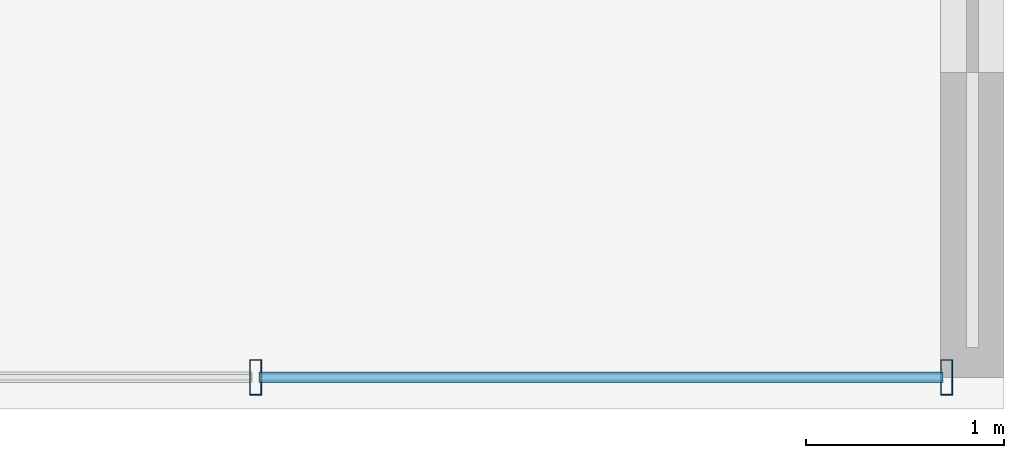
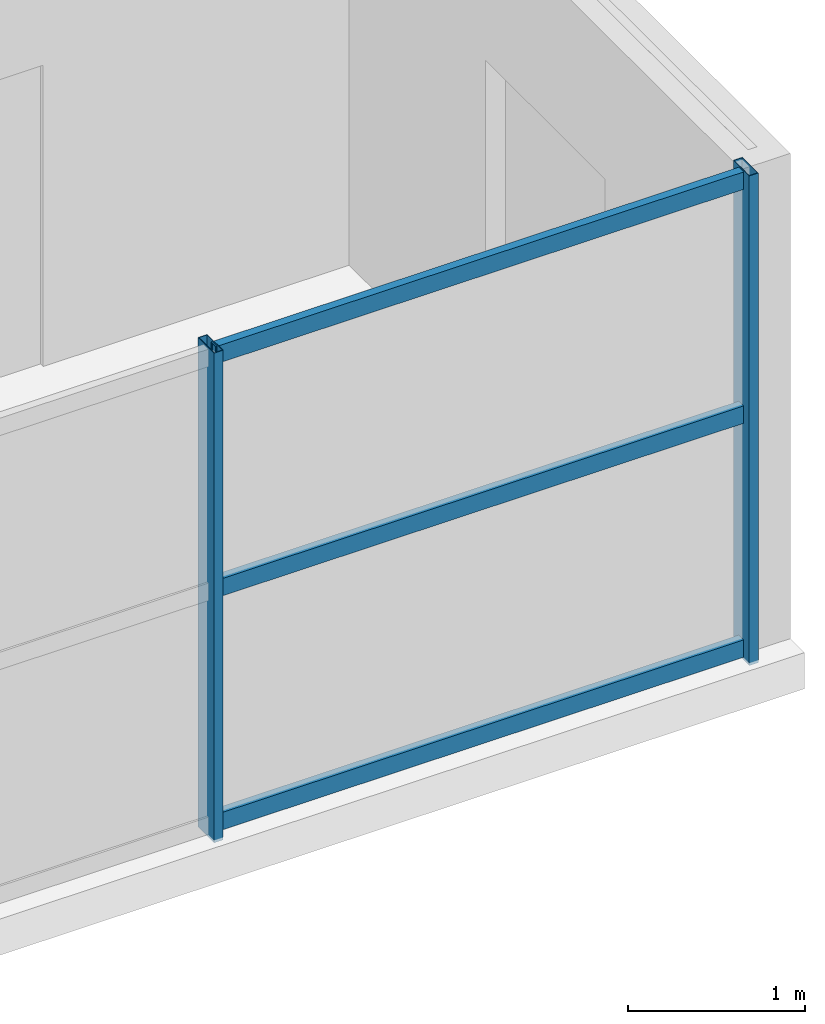
# One storey, part 4 of 13: 5 members, 1 element without a shape of its own.
"""IFC4 building model written with IfcOpenShell, lengths in metres."""

from ifc_helpers import new_model, si_unit, direction, frame, origin, origin_2d, place, context, subcontext, project, spatial, hollow_rectangle, extrude, source, transform, mapped, material, material_profile, profile_set, type_object, element, aggregate, save


model = new_model("IFC4")

# Units and contexts
model_context = context("Model", 3, precision=1e-05, world=origin(), true_north=direction((0.0, 1.0)))
body_context = subcontext(model_context, "Body", "Model", "MODEL_VIEW")
ifc_project = project(units=[si_unit("LENGTHUNIT", "METRE"), si_unit("AREAUNIT", "SQUARE_METRE"), si_unit("VOLUMEUNIT", "CUBIC_METRE"), si_unit("PLANEANGLEUNIT", "RADIAN"), si_unit("MASSUNIT", "GRAM", prefix="KILO")], contexts=[model_context])

# Site, building, storey
site_placement = place(None, origin())
site = spatial("IfcSite", under=ifc_project, at=site_placement, CompositionType="ELEMENT")
building_placement = place(site_placement, origin())
building = spatial("IfcBuilding", under=site, at=building_placement, Name="Tlacorven Tower", CompositionType="ELEMENT")
storey_placement = place(building_placement, frame((0.0, 0.0, 291.60009765625)))
storey = spatial("IfcBuildingStorey", under=building, at=storey_placement, Name="L74", CompositionType="ELEMENT", Elevation=291.60009765625)

# Curtain wall, members
ifc_material_1 = material(Name="Dark solar low-E double glazing in aluminium frame", Category="aluminium")
curtain_wall_type = type_object("IfcCurtainWallType", Name="CW-TWR-HIGH", PredefinedType="USERDEFINED", material=ifc_material_1)
curtain_wall_placement = place(storey_placement, origin())
curtain_wall = element("IfcCurtainWall", 1, at=curtain_wall_placement, inside=storey, type_object=curtain_wall_type, Name="L74 CW-TWR-HIGH Curtain Wall 344", ObjectType="UNITISED CURTAIN WALL", PredefinedType="USERDEFINED")
ifc_material_2 = material(Name="Aluminium 6063-T6 anodised", Category="aluminium")
ifc_material_profile_1 = material_profile(ifc_material_2, hollow_rectangle(XDim=0.06005859375, YDim=0.179931640625, WallThickness=0.00390625, at=origin_2d()), Name="ALU MULLION 60X180")
ifc_profile_set_1 = profile_set([ifc_material_profile_1], Name="Aluminium 6063-T6 anodised")
member_type_1 = type_object("IfcMemberType", Name="CWM-03", PredefinedType="MULLION", material=ifc_profile_set_1)
shared_shape_1 = source(origin(), body_context, "Body", "SweptSolid", [
    extrude(hollow_rectangle(XDim=0.06005859375, YDim=0.179931640625, WallThickness=0.00390625, at=origin_2d()), origin(), (0.0, 0.0, 1.0), 3.3798828125),
])
member_1_placement = place(storey_placement, frame((43.909912109375, 1.9599609375, -0.02001953125), z_axis=(0.0, 0.0, 1.0), x_axis=(-1.0, 0.0, 0.0)))
member_1 = element("IfcMember", 2, at=member_1_placement, type_object=member_type_1, Name="CW-L74-344 Mullion 1", PredefinedType="MULLION", context=body_context, shape_type="MappedRepresentation", body=[
    mapped(shared_shape_1, transform((0.0, 0.0, 0.0), scale=1.0)),
])
member_2_placement = place(storey_placement, frame((40.41552734375, 1.9599609375, -0.02001953125), z_axis=(0.0, 0.0, 1.0), x_axis=(-1.0, 0.0, 0.0)))
member_2 = element("IfcMember", 3, at=member_2_placement, type_object=member_type_1, Name="CW-L74-344 Mullion 2", PredefinedType="MULLION", context=body_context, shape_type="MappedRepresentation", body=[
    mapped(shared_shape_1, transform((0.0, 0.0, 0.0), scale=1.0)),
])
ifc_material_profile_2 = material_profile(ifc_material_2, hollow_rectangle(XDim=0.054931640625, YDim=0.1201171875, WallThickness=0.00341796875, at=origin_2d()), Name="ALU TRANSOM 55X120")
ifc_profile_set_2 = profile_set([ifc_material_profile_2], Name="Aluminium 6063-T6 anodised")
member_type_2 = type_object("IfcMemberType", Name="CWT-03", PredefinedType="USERDEFINED", material=ifc_profile_set_2)
shared_shape_2 = source(origin(), body_context, "Body", "SweptSolid", [
    extrude(hollow_rectangle(XDim=0.054931640625, YDim=0.1201171875, WallThickness=0.00341796875, at=origin_2d()), origin(), (0.0, 0.0, 1.0), 3.458740234375),
])
member_3_placement = place(storey_placement, frame((43.89208984375, 1.9599609375, 0.059814453125), z_axis=(-1.0, 0.0, 0.0), x_axis=(0.0, -1.0, 0.0)))
member_3 = element("IfcMember", 4, at=member_3_placement, type_object=member_type_2, Name="CW-L74-344 Transom 1", ObjectType="TRANSOM", PredefinedType="USERDEFINED", context=body_context, shape_type="MappedRepresentation", body=[
    mapped(shared_shape_2, transform((0.0, 0.0, 0.0), scale=1.0)),
])
member_4_placement = place(storey_placement, frame((43.89208984375, 1.9599609375, 1.6748046875), z_axis=(-1.0, 0.0, 0.0), x_axis=(0.0, -1.0, 0.0)))
member_4 = element("IfcMember", 5, at=member_4_placement, type_object=member_type_2, Name="CW-L74-344 Transom 2", ObjectType="TRANSOM", PredefinedType="USERDEFINED", context=body_context, shape_type="MappedRepresentation", body=[
    mapped(shared_shape_2, transform((0.0, 0.0, 0.0), scale=1.0)),
])
member_5_placement = place(storey_placement, frame((43.89208984375, 1.9599609375, 3.289794921875), z_axis=(-1.0, 0.0, 0.0), x_axis=(0.0, -1.0, 0.0)))
member_5 = element("IfcMember", 6, at=member_5_placement, type_object=member_type_2, Name="CW-L74-344 Transom 3", ObjectType="TRANSOM", PredefinedType="USERDEFINED", context=body_context, shape_type="MappedRepresentation", body=[
    mapped(shared_shape_2, transform((0.0, 0.0, 0.0), scale=1.0)),
])
aggregate(curtain_wall, [member_1, member_2, member_3, member_4, member_5])

save(model, "model.ifc")
